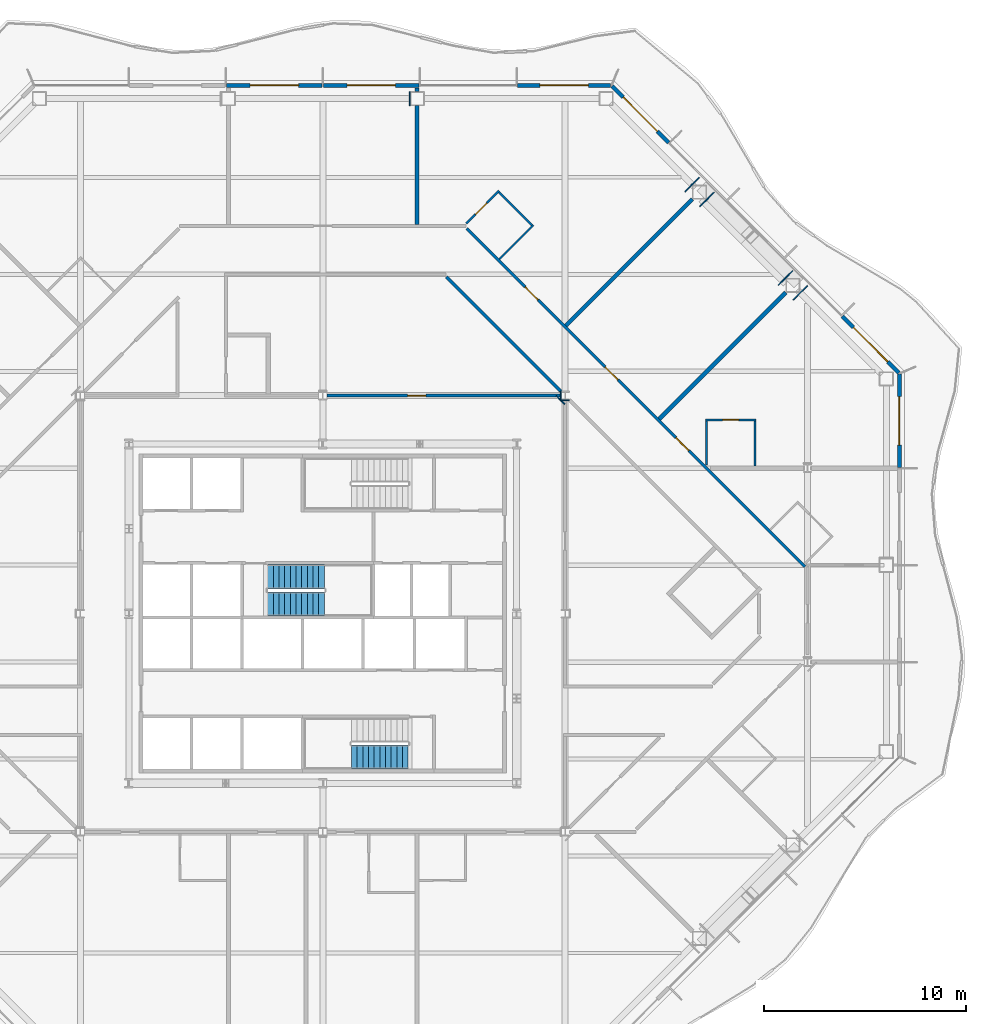
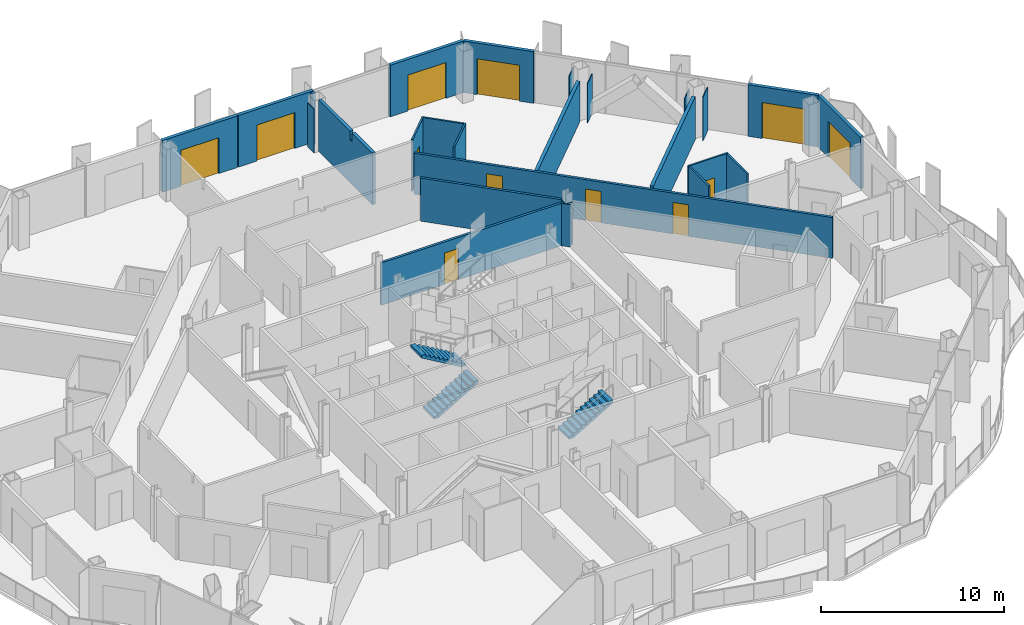
# One storey, part 13 of 21: 27 walls, 12 doors, 3 stair flights, 12 openings, 2 elements without a shape of their own.
"""IFC4 building model written with IfcOpenShell, lengths in metres."""

from ifc_helpers import new_model, si_unit, direction, frame, frame_2d, origin, place, context, subcontext, project, spatial, polyline, rectangle, outline, extrude, material, layer, layer_set, type_object, element, fill, aggregate, save


model = new_model("IFC4")

# Units and contexts
model_context = context("Model", 3, precision=1e-05, world=origin(), true_north=direction((0.0, 1.0)))
body_context = subcontext(model_context, "Body", "Model", "MODEL_VIEW")
ifc_project = project(units=[si_unit("LENGTHUNIT", "METRE"), si_unit("AREAUNIT", "SQUARE_METRE"), si_unit("VOLUMEUNIT", "CUBIC_METRE"), si_unit("PLANEANGLEUNIT", "RADIAN"), si_unit("MASSUNIT", "GRAM", prefix="KILO")], contexts=[model_context])

# Site, building, storey
site_placement = place(None, origin())
site = spatial("IfcSite", under=ifc_project, at=site_placement, CompositionType="ELEMENT")
building_placement = place(site_placement, origin())
building = spatial("IfcBuilding", under=site, at=building_placement, Name="Cairn Pilgrim Tower", CompositionType="ELEMENT")
storey_placement = place(building_placement, frame((0.0, 0.0, 129.0)))
storey = spatial("IfcBuildingStorey", under=building, at=storey_placement, Name="L31", CompositionType="ELEMENT", Elevation=129.0)

# Wall, opening, door
ifc_material_1 = material(Name="Bronze anodised aluminium insulated sandwich panel with mineral wool fill", Category="aluminium")
ifc_layer_1 = layer(ifc_material_1, 0.199951171875)
ifc_layer_set_1 = layer_set([ifc_layer_1], Name="BRONZE INFILL FRAME WALL 200")
wall_type_1 = type_object("IfcWallType", Name="BRONZE INFILL FRAME WALL 200", PredefinedType="NOTDEFINED", material=ifc_layer_set_1)
wall_1_placement = place(storey_placement, frame((35.75, 9.6298828125, 0.0), z_axis=(0.0, 0.0, 1.0), x_axis=(0.0, 1.0, 0.0)))
wall_1 = element("IfcWall", 1, at=wall_1_placement, inside=storey, type_object=wall_type_1, Name="Bronze infill frame wall IW-E4", PredefinedType="NOTDEFINED", context=body_context, shape_type="SweptSolid", body=[
    extrude(rectangle(XDim=4.62646484375, YDim=0.199951171875, at=frame_2d((2.313232421875, 0.0))), origin(), (0.0, 0.0, 1.0), 3.449951171875),
])
opening_1_placement = place(wall_1_placement, frame((1.117919921875, 0.0, 0.0)))
opening_1 = element("IfcOpeningElement", 2, at=opening_1_placement, cuts=wall_1, Name="Opening 3106B2", PredefinedType="OPENING", context=body_context, shape_type="SweptSolid", body=[
    extrude(rectangle(XDim=2.39990234375, YDim=2.39990234375, at=frame_2d((1.199951171875, 1.199951171875))), frame((0.0, 0.10986328125, 0.0), z_axis=(0.0, -1.0, 0.0), x_axis=(1.0, 0.0, 0.0)), (0.0, 0.0, 1.0), 0.219970703125),
])
ifc_material_2 = material(Name="Bronze anodised aluminium frame with tinted low-E glass", Category="aluminium")
door_type_1 = type_object("IfcDoorType", Name="BALCONY SLIDING DOOR 2400x2400", OperationType="DOUBLE_DOOR_SLIDING", PredefinedType="DOOR", material=ifc_material_2)
door_1_placement = place(opening_1_placement, origin())
door_1 = element("IfcDoor", 3, at=door_1_placement, inside=storey, type_object=door_type_1, Name="Balcony sliding door 3106B2", OperationType="SINGLE_SWING_LEFT", OverallHeight=2.39990234375, OverallWidth=2.39990234375, PredefinedType="DOOR", context=body_context, shape_type="SweptSolid", body=[
    extrude(rectangle(XDim=2.39990234375, YDim=2.39990234375, at=frame_2d((1.199951171875, 1.199951171875))), frame((0.0, 0.02490234375, 0.0), z_axis=(0.0, -1.0, 0.0), x_axis=(1.0, 0.0, 0.0)), (0.0, 0.0, 1.0), 0.050048828125),
])
fill(opening_1, door_1)

wall_2_placement = place(storey_placement, frame((35.7216796875, 14.32470703125, 0.0), z_axis=(0.0, 0.0, 1.0), x_axis=(-0.707106781187, 0.707106781187, 0.0)))
wall_2 = element("IfcWall", 4, at=wall_2_placement, inside=storey, type_object=wall_type_1, Name="Bronze infill frame wall IW-NE1", PredefinedType="NOTDEFINED", context=body_context, shape_type="SweptSolid", body=[
    extrude(rectangle(XDim=3.961669921875, YDim=0.199951171875, at=frame_2d((1.98095703125, 0.0))), origin(), (0.0, 0.0, 1.0), 3.449951171875),
])
opening_2_placement = place(wall_2_placement, frame((0.775390625, 0.0, 0.0)))
opening_2 = element("IfcOpeningElement", 5, at=opening_2_placement, cuts=wall_2, Name="Opening 3106B", PredefinedType="OPENING", context=body_context, shape_type="SweptSolid", body=[
    extrude(rectangle(XDim=2.39990234375, YDim=2.39990234375, at=frame_2d((1.199951171875, 1.199951171875))), frame((0.0, 0.10986328125, 0.0), z_axis=(0.0, -1.0, 0.0), x_axis=(1.0, 0.0, 0.0)), (0.0, 0.0, 1.0), 0.219970703125),
])
door_2_placement = place(opening_2_placement, origin())
door_2 = element("IfcDoor", 6, at=door_2_placement, inside=storey, type_object=door_type_1, Name="Balcony sliding door 3106B", OperationType="SINGLE_SWING_LEFT", OverallHeight=2.39990234375, OverallWidth=2.39990234375, PredefinedType="DOOR", context=body_context, shape_type="SweptSolid", body=[
    extrude(rectangle(XDim=2.39990234375, YDim=2.39990234375, at=frame_2d((1.199951171875, 1.199951171875))), frame((0.0, 0.02490234375, 0.0), z_axis=(0.0, -1.0, 0.0), x_axis=(1.0, 0.0, 0.0)), (0.0, 0.0, 1.0), 0.050048828125),
])
fill(opening_2, door_2)

wall_3_placement = place(storey_placement, frame((24.325927734375, 25.720458984375, 0.0), z_axis=(0.0, 0.0, 1.0), x_axis=(-0.707106781187, 0.707106781187, 0.0)))
wall_3 = element("IfcWall", 7, at=wall_3_placement, inside=storey, type_object=wall_type_1, Name="Bronze infill frame wall IW-NE5", PredefinedType="NOTDEFINED", context=body_context, shape_type="SweptSolid", body=[
    extrude(rectangle(XDim=3.961669921875, YDim=0.199951171875, at=frame_2d((1.98095703125, 0.0))), origin(), (0.0, 0.0, 1.0), 3.449951171875),
])
opening_3_placement = place(wall_3_placement, frame((0.78564453125, 0.0, 0.0)))
opening_3 = element("IfcOpeningElement", 8, at=opening_3_placement, cuts=wall_3, Name="Opening 3108B", PredefinedType="OPENING", context=body_context, shape_type="SweptSolid", body=[
    extrude(rectangle(XDim=2.39990234375, YDim=2.39990234375, at=frame_2d((1.199951171875, 1.199951171875))), frame((0.0, 0.10986328125, 0.0), z_axis=(0.0, -1.0, 0.0), x_axis=(1.0, 0.0, 0.0)), (0.0, 0.0, 1.0), 0.219970703125),
])
door_3_placement = place(opening_3_placement, origin())
door_3 = element("IfcDoor", 9, at=door_3_placement, inside=storey, type_object=door_type_1, Name="Balcony sliding door 3108B", OperationType="SINGLE_SWING_LEFT", OverallHeight=2.39990234375, OverallWidth=2.39990234375, PredefinedType="DOOR", context=body_context, shape_type="SweptSolid", body=[
    extrude(rectangle(XDim=2.39990234375, YDim=2.39990234375, at=frame_2d((1.199951171875, 1.199951171875))), frame((0.0, 0.02490234375, 0.0), z_axis=(0.0, -1.0, 0.0), x_axis=(1.0, 0.0, 0.0)), (0.0, 0.0, 1.0), 0.050048828125),
])
fill(opening_3, door_3)

wall_4_placement = place(storey_placement, frame((21.45654296875, 28.550048828125, 0.0), z_axis=(0.0, 0.0, 1.0), x_axis=(-1.0, 0.0, 0.0)))
wall_4 = element("IfcWall", 10, at=wall_4_placement, inside=storey, type_object=wall_type_1, Name="Bronze infill frame wall IW-N1", PredefinedType="NOTDEFINED", context=body_context, shape_type="SweptSolid", body=[
    extrude(rectangle(XDim=4.62646484375, YDim=0.199951171875, at=frame_2d((2.313232421875, 0.0))), origin(), (0.0, 0.0, 1.0), 3.449951171875),
])
opening_4_placement = place(wall_4_placement, frame((1.1083984375, 0.0, 0.0)))
opening_4 = element("IfcOpeningElement", 11, at=opening_4_placement, cuts=wall_4, Name="Opening 3108B2", PredefinedType="OPENING", context=body_context, shape_type="SweptSolid", body=[
    extrude(rectangle(XDim=2.39990234375, YDim=2.39990234375, at=frame_2d((1.199951171875, 1.199951171875))), frame((0.0, 0.10986328125, 0.0), z_axis=(0.0, -1.0, 0.0), x_axis=(1.0, 0.0, 0.0)), (0.0, 0.0, 1.0), 0.219970703125),
])
door_4_placement = place(opening_4_placement, origin())
door_4 = element("IfcDoor", 12, at=door_4_placement, inside=storey, type_object=door_type_1, Name="Balcony sliding door 3108B2", OperationType="SINGLE_SWING_LEFT", OverallHeight=2.39990234375, OverallWidth=2.39990234375, PredefinedType="DOOR", context=body_context, shape_type="SweptSolid", body=[
    extrude(rectangle(XDim=2.39990234375, YDim=2.39990234375, at=frame_2d((1.199951171875, 1.199951171875))), frame((0.0, 0.02490234375, 0.0), z_axis=(0.0, -1.0, 0.0), x_axis=(1.0, 0.0, 0.0)), (0.0, 0.0, 1.0), 0.050048828125),
])
fill(opening_4, door_4)

wall_5_placement = place(storey_placement, frame((11.969970703125, 28.550048828125, 0.0), z_axis=(0.0, 0.0, 1.0), x_axis=(-1.0, 0.0, 0.0)))
wall_5 = element("IfcWall", 13, at=wall_5_placement, inside=storey, type_object=wall_type_1, Name="Bronze infill frame wall IW-N3", PredefinedType="NOTDEFINED", context=body_context, shape_type="SweptSolid", body=[
    extrude(rectangle(XDim=4.739990234375, YDim=0.199951171875, at=frame_2d((2.3701171875, 0.0))), origin(), (0.0, 0.0, 1.0), 3.449951171875),
])
opening_5_placement = place(wall_5_placement, frame((1.17041015625, 0.0, 0.0)))
opening_5 = element("IfcOpeningElement", 14, at=opening_5_placement, cuts=wall_5, Name="Opening 3109B", PredefinedType="OPENING", context=body_context, shape_type="SweptSolid", body=[
    extrude(rectangle(XDim=2.39990234375, YDim=2.39990234375, at=frame_2d((1.199951171875, 1.199951171875))), frame((0.0, 0.10986328125, 0.0), z_axis=(0.0, -1.0, 0.0), x_axis=(1.0, 0.0, 0.0)), (0.0, 0.0, 1.0), 0.219970703125),
])
door_5_placement = place(opening_5_placement, origin())
door_5 = element("IfcDoor", 15, at=door_5_placement, inside=storey, type_object=door_type_1, Name="Balcony sliding door 3109B", OperationType="SINGLE_SWING_LEFT", OverallHeight=2.39990234375, OverallWidth=2.39990234375, PredefinedType="DOOR", context=body_context, shape_type="SweptSolid", body=[
    extrude(rectangle(XDim=2.39990234375, YDim=2.39990234375, at=frame_2d((1.199951171875, 1.199951171875))), frame((0.0, 0.02490234375, 0.0), z_axis=(0.0, -1.0, 0.0), x_axis=(1.0, 0.0, 0.0)), (0.0, 0.0, 1.0), 0.050048828125),
])
fill(opening_5, door_5)

wall_6_placement = place(storey_placement, frame((7.169921875, 28.550048828125, 0.0), z_axis=(0.0, 0.0, 1.0), x_axis=(-1.0, 0.0, 0.0)))
wall_6 = element("IfcWall", 16, at=wall_6_placement, inside=storey, type_object=wall_type_1, Name="Bronze infill frame wall IW-N4", PredefinedType="NOTDEFINED", context=body_context, shape_type="SweptSolid", body=[
    extrude(rectangle(XDim=4.739990234375, YDim=0.199951171875, at=frame_2d((2.3701171875, 0.0))), origin(), (0.0, 0.0, 1.0), 3.449951171875),
])
opening_6_placement = place(wall_6_placement, frame((1.17041015625, 0.0, 0.0)))
opening_6 = element("IfcOpeningElement", 17, at=opening_6_placement, cuts=wall_6, Name="Opening 3109B2", PredefinedType="OPENING", context=body_context, shape_type="SweptSolid", body=[
    extrude(rectangle(XDim=2.39990234375, YDim=2.39990234375, at=frame_2d((1.199951171875, 1.199951171875))), frame((0.0, 0.10986328125, 0.0), z_axis=(0.0, -1.0, 0.0), x_axis=(1.0, 0.0, 0.0)), (0.0, 0.0, 1.0), 0.219970703125),
])
door_6_placement = place(opening_6_placement, origin())
door_6 = element("IfcDoor", 18, at=door_6_placement, inside=storey, type_object=door_type_1, Name="Balcony sliding door 3109B2", OperationType="SINGLE_SWING_LEFT", OverallHeight=2.39990234375, OverallWidth=2.39990234375, PredefinedType="DOOR", context=body_context, shape_type="SweptSolid", body=[
    extrude(rectangle(XDim=2.39990234375, YDim=2.39990234375, at=frame_2d((1.199951171875, 1.199951171875))), frame((0.0, 0.02490234375, 0.0), z_axis=(0.0, -1.0, 0.0), x_axis=(1.0, 0.0, 0.0)), (0.0, 0.0, 1.0), 0.050048828125),
])
fill(opening_6, door_6)

# Walls
ifc_material_3 = material(Name="Gypsum partition")
ifc_layer_2 = layer(ifc_material_3, 0.10009765625)
ifc_layer_set_2 = layer_set([ifc_layer_2], Name="PARTITION 100 DRYWALL")
wall_type_2 = type_object("IfcWallType", Name="PARTITION 100 DRYWALL", PredefinedType="PARTITIONING", material=ifc_layer_set_2)
wall_7_placement = place(storey_placement, frame((28.593994140625, 9.699951171875, 0.0), z_axis=(0.0, 0.0, 1.0), x_axis=(0.0, 1.0, 0.0)))
element("IfcWall", 19, at=wall_7_placement, inside=storey, type_object=wall_type_2, Name="PARTITION W067", PredefinedType="PARTITIONING", context=body_context, shape_type="SweptSolid", body=[
    extrude(outline(polyline([(0.0, 0.0), (2.25, 0.0), (2.25, 3.449951171875), (0.0048828125, 3.449951171875), (0.0029296875, 2.8798828125), (0.0, 2.8798828125), (0.0, 0.0)])), frame((0.0, 0.050048828125, 0.0), z_axis=(0.0, -1.0, 0.0), x_axis=(1.0, 0.0, 0.0)), (0.0, 0.0, 1.0), 0.10009765625),
])
wall_8_placement = place(storey_placement, frame((26.194091796875, 9.756103515625, 0.0), z_axis=(0.0, 0.0, 1.0), x_axis=(0.0, 1.0, 0.0)))
element("IfcWall", 20, at=wall_8_placement, inside=storey, type_object=wall_type_2, Name="PARTITION W068", PredefinedType="PARTITIONING", context=body_context, shape_type="SweptSolid", body=[
    extrude(rectangle(XDim=2.19384765625, YDim=0.10009765625, at=frame_2d((1.096923828125, 0.0))), origin(), (0.0, 0.0, 1.0), 3.449951171875),
])

# Wall, opening, door
wall_9_placement = place(storey_placement, frame((26.14404296875, 12.0, 0.0), z_axis=(0.0, 0.0, 1.0), x_axis=(1.0, 0.0, 0.0)))
wall_9 = element("IfcWall", 21, at=wall_9_placement, inside=storey, type_object=wall_type_2, Name="PARTITION W072", PredefinedType="PARTITIONING", context=body_context, shape_type="SweptSolid", body=[
    extrude(rectangle(XDim=2.5, YDim=0.10009765625, at=frame_2d((1.25, 0.0))), origin(), (0.0, 0.0, 1.0), 3.449951171875),
])
opening_7_placement = place(wall_9_placement, frame((0.85009765625, 0.0, 0.0)))
opening_7 = element("IfcOpeningElement", 22, at=opening_7_placement, cuts=wall_9, Name="Opening 3106A", PredefinedType="OPENING", context=body_context, shape_type="SweptSolid", body=[
    extrude(rectangle(XDim=0.800048828125, YDim=2.10009765625, at=frame_2d((0.39990234375, 1.050048828125))), frame((0.0, 0.06005859375, 0.0), z_axis=(0.0, -1.0, 0.0), x_axis=(1.0, 0.0, 0.0)), (0.0, 0.0, 1.0), 0.1201171875),
])
ifc_material_4 = material(Name="Timber door leaf", Category="wood")
door_type_2 = type_object("IfcDoorType", Name="WC DOOR 800x2100", OperationType="NOTDEFINED", PredefinedType="DOOR", material=ifc_material_4)
door_7_placement = place(opening_7_placement, origin())
door_7 = element("IfcDoor", 23, at=door_7_placement, inside=storey, type_object=door_type_2, Name="DOOR 3106A", OperationType="SINGLE_SWING_LEFT", OverallHeight=2.10009765625, OverallWidth=0.800048828125, PredefinedType="DOOR", context=body_context, shape_type="SweptSolid", body=[
    extrude(rectangle(XDim=0.800048828125, YDim=2.10009765625, at=frame_2d((0.39990234375, 1.050048828125))), frame((0.0, 0.02490234375, 0.0), z_axis=(0.0, -1.0, 0.0), x_axis=(1.0, 0.0, 0.0)), (0.0, 0.0, 1.0), 0.050048828125),
])
fill(opening_7, door_7)

# Walls
wall_10_placement = place(storey_placement, frame((15.944091796875, 19.9560546875, 0.0), z_axis=(0.0, 0.0, 1.0), x_axis=(0.707106781187, 0.707106781187, 0.0)))
element("IfcWall", 24, at=wall_10_placement, inside=storey, type_object=wall_type_2, Name="PARTITION W089", PredefinedType="PARTITIONING", context=body_context, shape_type="SweptSolid", body=[
    extrude(rectangle(XDim=2.374755859375, YDim=0.10009765625, at=frame_2d((1.1875, 0.0))), origin(), (0.0, 0.0, 1.0), 3.449951171875),
])
wall_11_placement = place(storey_placement, frame((17.552490234375, 21.635498046875, 0.0), z_axis=(0.0, 0.0, 1.0), x_axis=(-0.707053697085, 0.707159861304, 0.0)))
element("IfcWall", 25, at=wall_11_placement, inside=storey, type_object=wall_type_2, Name="PARTITION W091", PredefinedType="PARTITIONING", context=body_context, shape_type="SweptSolid", body=[
    extrude(rectangle(XDim=2.299560546875, YDim=0.10009765625, at=frame_2d((1.14990234375, 0.0))), origin(), (0.0, 0.0, 1.0), 3.449951171875),
])

# Wall, opening, door
wall_12_placement = place(storey_placement, frame((14.304443359375, 21.71044921875, 0.0), z_axis=(0.0, 0.0, 1.0), x_axis=(0.707106781187, 0.707106781187, 0.0)))
wall_12 = element("IfcWall", 26, at=wall_12_placement, inside=storey, type_object=wall_type_2, Name="PARTITION W094", PredefinedType="PARTITIONING", context=body_context, shape_type="SweptSolid", body=[
    extrude(rectangle(XDim=2.2939453125, YDim=0.10009765625, at=frame_2d((1.14697265625, 0.0))), origin(), (0.0, 0.0, 1.0), 3.449951171875),
])
opening_8_placement = place(wall_12_placement, frame((0.643798828125, 0.0, 0.0)))
opening_8 = element("IfcOpeningElement", 27, at=opening_8_placement, cuts=wall_12, Name="Opening 3108A", PredefinedType="OPENING", context=body_context, shape_type="SweptSolid", body=[
    extrude(rectangle(XDim=0.800048828125, YDim=2.10009765625, at=frame_2d((0.39990234375, 1.050048828125))), frame((0.0, 0.06005859375, 0.0), z_axis=(0.0, -1.0, 0.0), x_axis=(1.0, 0.0, 0.0)), (0.0, 0.0, 1.0), 0.1201171875),
])
door_8_placement = place(opening_8_placement, origin())
door_8 = element("IfcDoor", 28, at=door_8_placement, inside=storey, type_object=door_type_2, Name="DOOR 3108A", OperationType="SINGLE_SWING_LEFT", OverallHeight=2.10009765625, OverallWidth=0.800048828125, PredefinedType="DOOR", context=body_context, shape_type="SweptSolid", body=[
    extrude(rectangle(XDim=0.800048828125, YDim=2.10009765625, at=frame_2d((0.39990234375, 1.050048828125))), frame((0.0, 0.02490234375, 0.0), z_axis=(0.0, -1.0, 0.0), x_axis=(1.0, 0.0, 0.0)), (0.0, 0.0, 1.0), 0.050048828125),
])
fill(opening_8, door_8)

# Wall, openings, doors
ifc_layer_3 = layer(ifc_material_3, 0.14990234375)
ifc_layer_set_3 = layer_set([ifc_layer_3], Name="PARTITION 150 DRYWALL EI 60")
wall_type_3 = type_object("IfcWallType", Name="PARTITION 150 DRYWALL EI 60", PredefinedType="PARTITIONING", material=ifc_layer_set_3)
wall_13_placement = place(storey_placement, frame((31.072021484375, 4.721923828125, 0.0), z_axis=(0.0, 0.0, 1.0), x_axis=(-0.707106781187, 0.707106781187, 0.0)))
wall_13 = element("IfcWall", 29, at=wall_13_placement, inside=storey, type_object=wall_type_3, Name="PARTITION W050", PredefinedType="PARTITIONING", context=body_context, shape_type="SweptSolid", body=[
    extrude(rectangle(XDim=23.68798828125, YDim=0.14990234375, at=frame_2d((11.843994140625, 0.0))), origin(), (0.0, 0.0, 1.0), 2.72998046875),
])
opening_9_placement = place(wall_13_placement, frame((8.135498046875, 0.0, 0.0)))
opening_9 = element("IfcOpeningElement", 30, at=opening_9_placement, cuts=wall_13, Name="Opening 3106", PredefinedType="OPENING", context=body_context, shape_type="SweptSolid", body=[
    extrude(rectangle(XDim=0.89990234375, YDim=2.10009765625, at=frame_2d((0.449951171875, 1.050048828125))), frame((0.0, 0.0849609375, 0.0), z_axis=(0.0, -1.0, 0.0), x_axis=(1.0, 0.0, 0.0)), (0.0, 0.0, 1.0), 0.169921875),
])
opening_10_placement = place(wall_13_placement, frame((13.0908203125, 0.0, 0.0)))
opening_10 = element("IfcOpeningElement", 31, at=opening_10_placement, cuts=wall_13, Name="Opening 3107", PredefinedType="OPENING", context=body_context, shape_type="SweptSolid", body=[
    extrude(rectangle(XDim=0.89990234375, YDim=2.10009765625, at=frame_2d((0.449951171875, 1.050048828125))), frame((0.0, 0.0849609375, 0.0), z_axis=(0.0, -1.0, 0.0), x_axis=(1.0, 0.0, 0.0)), (0.0, 0.0, 1.0), 0.169921875),
])
opening_11_placement = place(wall_13_placement, frame((18.690185546875, 0.0, 0.0)))
opening_11 = element("IfcOpeningElement", 32, at=opening_11_placement, cuts=wall_13, Name="Opening 3108", PredefinedType="OPENING", context=body_context, shape_type="SweptSolid", body=[
    extrude(rectangle(XDim=0.89990234375, YDim=2.10009765625, at=frame_2d((0.449951171875, 1.050048828125))), frame((0.0, 0.0849609375, 0.0), z_axis=(0.0, -1.0, 0.0), x_axis=(1.0, 0.0, 0.0)), (0.0, 0.0, 1.0), 0.169921875),
])
door_type_3 = type_object("IfcDoorType", Name="ROOM DOOR 900x2100 FD30S", OperationType="NOTDEFINED", PredefinedType="DOOR", material=ifc_material_4)
door_9_placement = place(opening_9_placement, frame((0.89990234375, 0.0, 0.0), z_axis=(0.0, 0.0, 1.0), x_axis=(-1.0, 0.0, 0.0)))
door_9 = element("IfcDoor", 33, at=door_9_placement, inside=storey, type_object=door_type_3, Name="DOOR 3106", OperationType="SINGLE_SWING_LEFT", OverallHeight=2.10009765625, OverallWidth=0.89990234375, PredefinedType="DOOR", context=body_context, shape_type="SweptSolid", body=[
    extrude(rectangle(XDim=0.89990234375, YDim=2.10009765625, at=frame_2d((0.449951171875, 1.050048828125))), frame((0.0, 0.02490234375, 0.0), z_axis=(0.0, -1.0, 0.0), x_axis=(1.0, 0.0, 0.0)), (0.0, 0.0, 1.0), 0.050048828125),
])
fill(opening_9, door_9)
door_10_placement = place(opening_11_placement, frame((0.89990234375, 0.0, 0.0), z_axis=(0.0, 0.0, 1.0), x_axis=(-1.0, 0.0, 0.0)))
door_10 = element("IfcDoor", 34, at=door_10_placement, inside=storey, type_object=door_type_3, Name="DOOR 3108", OperationType="SINGLE_SWING_LEFT", OverallHeight=2.10009765625, OverallWidth=0.89990234375, PredefinedType="DOOR", context=body_context, shape_type="SweptSolid", body=[
    extrude(rectangle(XDim=0.89990234375, YDim=2.10009765625, at=frame_2d((0.449951171875, 1.050048828125))), frame((0.0, 0.02490234375, 0.0), z_axis=(0.0, -1.0, 0.0), x_axis=(1.0, 0.0, 0.0)), (0.0, 0.0, 1.0), 0.050048828125),
])
fill(opening_11, door_10)
door_type_4 = type_object("IfcDoorType", Name="SERVICE DOOR 900x2100 FD30S", OperationType="NOTDEFINED", PredefinedType="DOOR", material=ifc_material_4)
door_11_placement = place(opening_10_placement, frame((0.89990234375, 0.0, 0.0), z_axis=(0.0, 0.0, 1.0), x_axis=(-1.0, 0.0, 0.0)))
door_11 = element("IfcDoor", 35, at=door_11_placement, inside=storey, type_object=door_type_4, Name="DOOR 3107", OperationType="SINGLE_SWING_LEFT", OverallHeight=2.10009765625, OverallWidth=0.89990234375, PredefinedType="DOOR", context=body_context, shape_type="SweptSolid", body=[
    extrude(rectangle(XDim=0.89990234375, YDim=2.10009765625, at=frame_2d((0.449951171875, 1.050048828125))), frame((0.0, 0.02490234375, 0.0), z_axis=(0.0, -1.0, 0.0), x_axis=(1.0, 0.0, 0.0)), (0.0, 0.0, 1.0), 0.050048828125),
])
fill(opening_10, door_11)

# Wall, opening, door
wall_14_placement = place(storey_placement, frame((7.404541015625, 13.199951171875, 0.0), z_axis=(0.0, 0.0, 1.0), x_axis=(1.0, 0.0, 0.0)))
wall_14 = element("IfcWall", 36, at=wall_14_placement, inside=storey, type_object=wall_type_3, Name="PARTITION W076", PredefinedType="PARTITIONING", context=body_context, shape_type="SweptSolid", body=[
    extrude(rectangle(XDim=11.591064453125, YDim=0.14990234375, at=frame_2d((5.79541015625, 0.0))), origin(), (0.0, 0.0, 1.0), 2.830078125),
])
opening_12_placement = place(wall_14_placement, frame((3.99560546875, 0.0, 0.0)))
opening_12 = element("IfcOpeningElement", 37, at=opening_12_placement, cuts=wall_14, Name="Opening 3122", PredefinedType="OPENING", context=body_context, shape_type="SweptSolid", body=[
    extrude(rectangle(XDim=0.89990234375, YDim=2.10009765625, at=frame_2d((0.449951171875, 1.050048828125))), frame((0.0, 0.0849609375, 0.0), z_axis=(0.0, -1.0, 0.0), x_axis=(1.0, 0.0, 0.0)), (0.0, 0.0, 1.0), 0.169921875),
])
door_12_placement = place(opening_12_placement, origin())
door_12 = element("IfcDoor", 38, at=door_12_placement, inside=storey, type_object=door_type_4, Name="DOOR 3122", OperationType="SINGLE_SWING_LEFT", OverallHeight=2.10009765625, OverallWidth=0.89990234375, PredefinedType="DOOR", context=body_context, shape_type="SweptSolid", body=[
    extrude(rectangle(XDim=0.89990234375, YDim=2.10009765625, at=frame_2d((0.449951171875, 1.050048828125))), frame((0.0, 0.02490234375, 0.0), z_axis=(0.0, -1.0, 0.0), x_axis=(1.0, 0.0, 0.0)), (0.0, 0.0, 1.0), 0.050048828125),
])
fill(opening_12, door_12)

# Walls
wall_15_placement = place(storey_placement, frame((18.991455078125, 13.408447265625, 0.0), z_axis=(0.0, 0.0, 1.0), x_axis=(-0.707106781187, 0.707106781187, 0.0)))
element("IfcWall", 39, at=wall_15_placement, inside=storey, type_object=wall_type_3, Name="PARTITION W081", PredefinedType="PARTITIONING", context=body_context, shape_type="SweptSolid", body=[
    extrude(rectangle(XDim=8.009521484375, YDim=0.14990234375, at=frame_2d((4.0048828125, 0.0))), origin(), (0.0, 0.0, 1.0), 2.8798828125),
])
ifc_layer_4 = layer(ifc_material_3, 0.050048828125)
ifc_layer_set_4 = layer_set([ifc_layer_4], Name="PARTITION 50 DRYWALL EI 60")
wall_type_4 = type_object("IfcWallType", Name="PARTITION 50 DRYWALL EI 60", PredefinedType="PARTITIONING", material=ifc_layer_set_4)
wall_16_placement = place(storey_placement, frame((18.970458984375, 12.987548828125, 0.0), z_axis=(0.0, 0.0, 1.0), x_axis=(0.0, 1.0, 0.0)))
element("IfcWall", 40, at=wall_16_placement, inside=storey, type_object=wall_type_4, Name="COLUMN CASING WC22", PredefinedType="PARTITIONING", context=body_context, shape_type="SweptSolid", body=[
    extrude(rectangle(XDim=0.425048828125, YDim=0.050048828125, at=frame_2d((0.21240234375, 0.0))), origin(), (0.0, 0.0, 1.0), 2.830078125),
])
wall_17_placement = place(storey_placement, frame((19.182373046875, 12.765380859375, 0.0), z_axis=(0.0, 0.0, 1.0), x_axis=(-0.707106781187, 0.707106781187, 0.0)))
element("IfcWall", 41, at=wall_17_placement, inside=storey, type_object=wall_type_4, Name="COLUMN CASING WC24", PredefinedType="PARTITIONING", context=body_context, shape_type="SweptSolid", body=[
    extrude(rectangle(XDim=0.589599609375, YDim=0.050048828125, at=frame_2d((0.294921875, 0.0))), origin(), (0.0, 0.0, 1.0), 2.830078125),
])
wall_18_placement = place(storey_placement, frame((29.758056640625, 18.669189453125, 0.0), z_axis=(0.0, 0.0, 1.0), x_axis=(0.707106781187, 0.707106781187, 0.0)))
element("IfcWall", 42, at=wall_18_placement, inside=storey, type_object=wall_type_4, Name="COLUMN CASING WC30", PredefinedType="PARTITIONING", context=body_context, shape_type="SweptSolid", body=[
    extrude(rectangle(XDim=0.989990234375, YDim=0.050048828125, at=frame_2d((0.4951171875, 0.0))), origin(), (0.0, 0.0, 1.0), 2.6298828125),
])
wall_19_placement = place(storey_placement, frame((30.493408203125, 17.933837890625, 0.0), z_axis=(0.0, 0.0, 1.0), x_axis=(0.707106781187, 0.707106781187, 0.0)))
element("IfcWall", 43, at=wall_19_placement, inside=storey, type_object=wall_type_4, Name="COLUMN CASING WC31", PredefinedType="PARTITIONING", context=body_context, shape_type="SweptSolid", body=[
    extrude(rectangle(XDim=0.989990234375, YDim=0.050048828125, at=frame_2d((0.4951171875, 0.0))), origin(), (0.0, 0.0, 1.0), 2.929931640625),
])
wall_20_placement = place(storey_placement, frame((18.99560546875, 12.96240234375, 0.0), z_axis=(0.0, 0.0, 1.0), x_axis=(1.0, 0.0, 0.0)))
element("IfcWall", 44, at=wall_20_placement, inside=storey, type_object=wall_type_4, Name="COLUMN CASING WC35", PredefinedType="PARTITIONING", context=body_context, shape_type="SweptSolid", body=[
    extrude(rectangle(XDim=0.408935546875, YDim=0.050048828125, at=frame_2d((0.20458984375, 0.0))), origin(), (0.0, 0.0, 1.0), 2.830078125),
])
wall_21_placement = place(storey_placement, frame((25.1337890625, 23.29345703125, 0.0), z_axis=(0.0, 0.0, 1.0), x_axis=(0.707106781187, 0.707106781187, 0.0)))
element("IfcWall", 45, at=wall_21_placement, inside=storey, type_object=wall_type_4, Name="COLUMN CASING WC38", PredefinedType="PARTITIONING", context=body_context, shape_type="SweptSolid", body=[
    extrude(rectangle(XDim=0.989990234375, YDim=0.050048828125, at=frame_2d((0.4951171875, 0.0))), origin(), (0.0, 0.0, 1.0), 2.929931640625),
])
wall_22_placement = place(storey_placement, frame((25.869140625, 22.55810546875, 0.0), z_axis=(0.0, 0.0, 1.0), x_axis=(0.707106781187, 0.707106781187, 0.0)))
element("IfcWall", 46, at=wall_22_placement, inside=storey, type_object=wall_type_4, Name="COLUMN CASING WC39", PredefinedType="PARTITIONING", context=body_context, shape_type="SweptSolid", body=[
    extrude(rectangle(XDim=0.989990234375, YDim=0.050048828125, at=frame_2d((0.4951171875, 0.0))), origin(), (0.0, 0.0, 1.0), 2.6298828125),
])
wall_23_placement = place(storey_placement, frame((11.500732421875, 27.550048828125, 0.0), z_axis=(0.0, 0.0, 1.0), x_axis=(0.0, 1.0, 0.0)))
element("IfcWall", 47, at=wall_23_placement, inside=storey, type_object=wall_type_4, Name="COLUMN CASING WC41", PredefinedType="PARTITIONING", context=body_context, shape_type="SweptSolid", body=[
    extrude(rectangle(XDim=0.699951171875, YDim=0.050048828125, at=frame_2d((0.35009765625, 0.0))), origin(), (0.0, 0.0, 1.0), 2.929931640625),
])
ifc_layer_5 = layer(ifc_material_3, 0.199951171875)
ifc_layer_set_5 = layer_set([ifc_layer_5], Name="SHAFT WALL 200 GYPSUM EI 60")
wall_type_5 = type_object("IfcWallType", Name="SHAFT WALL 200 GYPSUM EI 60", PredefinedType="PARTITIONING", material=ifc_layer_set_5)
wall_24_placement = place(storey_placement, frame((23.862060546875, 12.0380859375, 0.0), z_axis=(0.0, 0.0, 1.0), x_axis=(0.707106781187, 0.707106781187, 0.0)))
element("IfcWall", 48, at=wall_24_placement, inside=storey, type_object=wall_type_5, Name="PARTITION W071", PredefinedType="PARTITIONING", context=body_context, shape_type="SweptSolid", body=[
    extrude(rectangle(XDim=8.85791015625, YDim=0.199951171875, at=frame_2d((4.428955078125, 0.0))), origin(), (0.0, 0.0, 1.0), 2.8798828125),
])
wall_25_placement = place(storey_placement, frame((19.238037109375, 16.662109375, 0.0), z_axis=(0.0, 0.0, 1.0), x_axis=(0.707120561855, 0.707093000249, 0.0)))
element("IfcWall", 49, at=wall_25_placement, inside=storey, type_object=wall_type_5, Name="PARTITION W084", PredefinedType="PARTITIONING", context=body_context, shape_type="SweptSolid", body=[
    extrude(rectangle(XDim=8.85791015625, YDim=0.199951171875, at=frame_2d((4.428955078125, 0.0))), origin(), (0.0, 0.0, 1.0), 2.72998046875),
])
wall_26_placement = place(storey_placement, frame((11.8759765625, 21.675048828125, 0.0), z_axis=(0.0, 0.0, 1.0), x_axis=(0.0, 1.0, 0.0)))
element("IfcWall", 50, at=wall_26_placement, inside=storey, type_object=wall_type_5, Name="PARTITION W093", PredefinedType="PARTITIONING", context=body_context, shape_type="SweptSolid", body=[
    extrude(outline(polyline([(0.0, 0.0), (5.875, 0.0), (5.875, 3.449951171875), (2.429931640625, 3.449951171875), (2.427978515625, 2.8798828125), (2.219970703125, 2.8798828125), (2.218017578125, 3.449951171875), (0.0, 3.449951171875), (0.0, 0.0)])), frame((0.0, 0.10009765625, 0.0), z_axis=(0.0, -1.0, 0.0), x_axis=(1.0, 0.0, 0.0)), (0.0, 0.0, 1.0), 0.199951171875),
])
wall_27_placement = place(storey_placement, frame((11.8759765625, 28.25, 0.0), z_axis=(0.0, 0.0, 1.0), x_axis=(0.0, 1.0, 0.0)))
element("IfcWall", 51, at=wall_27_placement, inside=storey, type_object=wall_type_5, Name="PARTITION W096", PredefinedType="PARTITIONING", context=body_context, shape_type="SweptSolid", body=[
    extrude(rectangle(XDim=0.169921875, YDim=0.199951171875, at=frame_2d((0.0849609375, 0.0))), origin(), (0.0, 0.0, 1.0), 3.449951171875),
])

# Stair, stair flight
ifc_material_5 = material(Name="Concrete C32/40", Category="concrete")
stair_type = type_object("IfcStairType", Name="EXIT STAIR 1200", PredefinedType="HALF_TURN_STAIR", material=ifc_material_5)
stair_1_placement = place(storey_placement, origin())
stair_1 = element("IfcStair", 52, at=stair_1_placement, inside=storey, type_object=stair_type, Name="L31 Exit Stair A", PredefinedType="HALF_TURN_STAIR")
stair_flight_type = type_object("IfcStairFlightType", Name="STAIR FLIGHT 1200", PredefinedType="STRAIGHT", material=ifc_material_5)
stair_flight_1_placement = place(storey_placement, frame((8.625, -4.699951171875, 1.800048828125), z_axis=(0.0, 0.0, 1.0), x_axis=(1.0, 0.0, 0.0)))
stair_flight_1 = element("IfcStairFlight", 53, at=stair_flight_1_placement, type_object=stair_flight_type, Name="ST-A flight 2", NumberOfRisers=11, NumberOfTreads=10, PredefinedType="STRAIGHT", RiserHeight=0.163636364, TreadLength=0.28, context=body_context, shape_type="SweptSolid", body=[
    extrude(outline(polyline([(0.0, 0.0), (0.0, 0.16357421875), (0.280029296875, 0.16357421875), (0.280029296875, 0.327392578125), (0.56005859375, 0.327392578125), (0.56005859375, 0.490966796875), (0.840087890625, 0.490966796875), (0.840087890625, 0.654541015625), (1.1201171875, 0.654541015625), (1.1201171875, 0.818115234375), (1.39990234375, 0.818115234375), (1.39990234375, 0.98193359375), (1.679931640625, 0.98193359375), (1.679931640625, 1.1455078125), (1.9599609375, 1.1455078125), (1.9599609375, 1.30908203125), (2.239990234375, 1.30908203125), (2.239990234375, 1.47265625), (2.52001953125, 1.47265625), (2.52001953125, 1.636474609375), (2.800048828125, 1.636474609375), (2.800048828125, 1.800048828125), (2.800048828125, 1.462646484375), (0.297119140625, 0.0), (0.0, 0.0)])), frame((0.0, 0.60009765625, 0.0), z_axis=(0.0, -1.0, 0.0), x_axis=(1.0, 0.0, 0.0)), (0.0, 0.0, 1.0), 1.199951171875),
])
aggregate(stair_1, [stair_flight_1])

# Stair, stair flights
stair_2_placement = place(storey_placement, origin())
stair_2 = element("IfcStair", 54, at=stair_2_placement, inside=storey, type_object=stair_type, Name="L31 Exit Stair B", PredefinedType="HALF_TURN_STAIR")
stair_flight_2_placement = place(storey_placement, frame((4.47509765625, 2.875, 0.0), z_axis=(0.0, 0.0, 1.0), x_axis=(1.0, 0.0, 0.0)))
stair_flight_2 = element("IfcStairFlight", 55, at=stair_flight_2_placement, type_object=stair_flight_type, Name="ST-B flight 1", NumberOfRisers=11, NumberOfTreads=10, PredefinedType="STRAIGHT", RiserHeight=0.163636364, TreadLength=0.28, context=body_context, shape_type="SweptSolid", body=[
    extrude(outline(polyline([(0.0, 0.0), (0.0, 0.16357421875), (0.280029296875, 0.16357421875), (0.280029296875, 0.327392578125), (0.56005859375, 0.327392578125), (0.56005859375, 0.490966796875), (0.840087890625, 0.490966796875), (0.840087890625, 0.654541015625), (1.1201171875, 0.654541015625), (1.1201171875, 0.818115234375), (1.39990234375, 0.818115234375), (1.39990234375, 0.98193359375), (1.679931640625, 0.98193359375), (1.679931640625, 1.1455078125), (1.9599609375, 1.1455078125), (1.9599609375, 1.30908203125), (2.239990234375, 1.30908203125), (2.239990234375, 1.47265625), (2.52001953125, 1.47265625), (2.52001953125, 1.636474609375), (2.800048828125, 1.636474609375), (2.800048828125, 1.800048828125), (2.800048828125, 1.462646484375), (0.297119140625, 0.0), (0.0, 0.0)])), frame((0.0, 0.60009765625, 0.0), z_axis=(0.0, -1.0, 0.0), x_axis=(1.0, 0.0, 0.0)), (0.0, 0.0, 1.0), 1.199951171875),
])
stair_flight_3_placement = place(storey_placement, frame((7.27490234375, 4.22509765625, 1.800048828125), z_axis=(0.0, 0.0, 1.0), x_axis=(-1.0, 0.0, 0.0)))
stair_flight_3 = element("IfcStairFlight", 56, at=stair_flight_3_placement, type_object=stair_flight_type, Name="ST-B flight 2", NumberOfRisers=11, NumberOfTreads=10, PredefinedType="STRAIGHT", RiserHeight=0.163636364, TreadLength=0.28, context=body_context, shape_type="SweptSolid", body=[
    extrude(outline(polyline([(0.0, 0.0), (0.0, 0.16357421875), (0.280029296875, 0.16357421875), (0.280029296875, 0.327392578125), (0.56005859375, 0.327392578125), (0.56005859375, 0.490966796875), (0.840087890625, 0.490966796875), (0.840087890625, 0.654541015625), (1.1201171875, 0.654541015625), (1.1201171875, 0.818115234375), (1.39990234375, 0.818115234375), (1.39990234375, 0.98193359375), (1.679931640625, 0.98193359375), (1.679931640625, 1.1455078125), (1.9599609375, 1.1455078125), (1.9599609375, 1.30908203125), (2.239990234375, 1.30908203125), (2.239990234375, 1.47265625), (2.52001953125, 1.47265625), (2.52001953125, 1.636474609375), (2.800048828125, 1.636474609375), (2.800048828125, 1.800048828125), (2.800048828125, 1.462646484375), (0.297119140625, 0.0), (0.0, 0.0)])), frame((0.0, 0.60009765625, 0.0), z_axis=(0.0, -1.0, 0.0), x_axis=(1.0, 0.0, 0.0)), (0.0, 0.0, 1.0), 1.199951171875),
])
aggregate(stair_2, [stair_flight_2, stair_flight_3])

save(model, "model.ifc")
